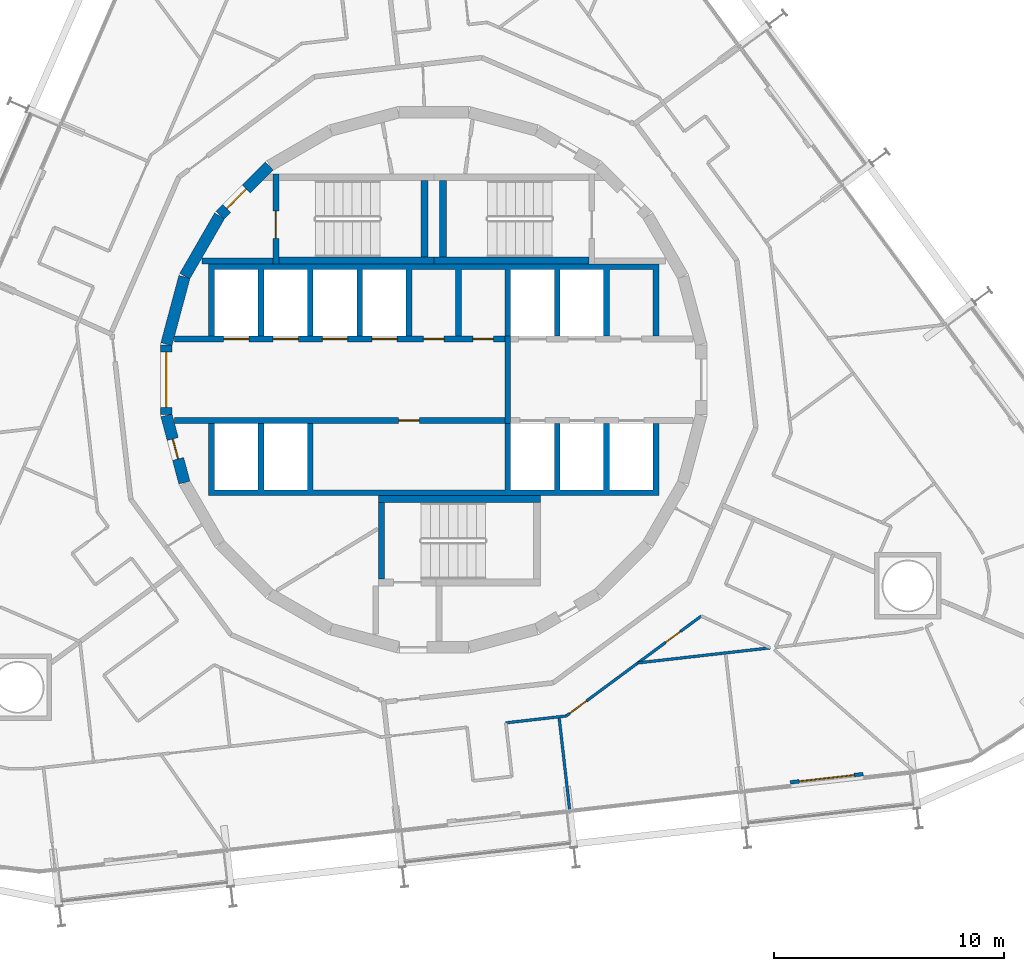
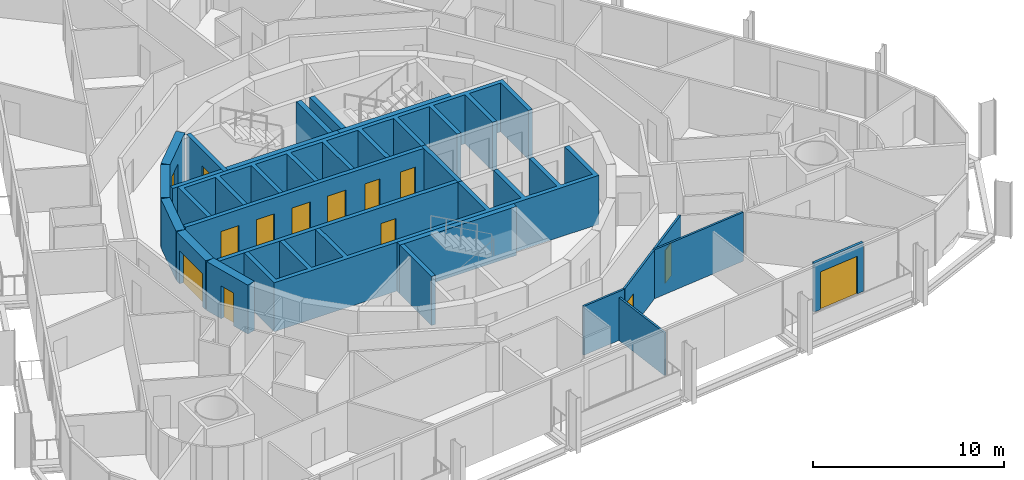
# One storey, part 18 of 24: 23 walls, 14 doors, 14 openings.
"""IFC4 building model written with IfcOpenShell, lengths in metres."""

from ifc_helpers import new_model, si_unit, direction, frame, frame_2d, origin, place, context, subcontext, project, spatial, polyline, rectangle, outline, extrude, material, layer, layer_set, type_object, element, fill, save


model = new_model("IFC4")

# Units and contexts
model_context = context("Model", 3, precision=1e-05, world=origin(), true_north=direction((0.0, 1.0)))
body_context = subcontext(model_context, "Body", "Model", "MODEL_VIEW")
ifc_project = project(units=[si_unit("LENGTHUNIT", "METRE"), si_unit("AREAUNIT", "SQUARE_METRE"), si_unit("VOLUMEUNIT", "CUBIC_METRE"), si_unit("PLANEANGLEUNIT", "RADIAN"), si_unit("MASSUNIT", "GRAM", prefix="KILO")], contexts=[model_context])

# Site, building, storey
site_placement = place(None, origin())
site = spatial("IfcSite", under=ifc_project, at=site_placement, CompositionType="ELEMENT")
building_placement = place(site_placement, origin())
building = spatial("IfcBuilding", under=site, at=building_placement, Name="Spindle Arch Residences", CompositionType="ELEMENT")
storey_placement = place(building_placement, frame((0.0, 0.0, 101.199951171875)))
storey = spatial("IfcBuildingStorey", under=building, at=storey_placement, Name="L24", CompositionType="ELEMENT", Elevation=101.199951171875)

# Wall, opening, door
ifc_material_1 = material(Name="Concrete C50/60", Category="concrete")
ifc_layer_1 = layer(ifc_material_1, 0.5)
ifc_layer_set_1 = layer_set([ifc_layer_1], Name="Core outline wall 500")
wall_type_1 = type_object("IfcWallType", Name="Core outline wall 500", PredefinedType="SHEAR", material=ifc_layer_set_1)
wall_1_placement = place(storey_placement, frame((-7.163818359375, 9.30810546875, 0.0), z_axis=(0.0, 0.0, 1.0), x_axis=(-0.707106781187, -0.707106781187, 0.0)))
wall_1 = element("IfcWall", 1, at=wall_1_placement, inside=storey, type_object=wall_type_1, Name="Core outline wall 15", PredefinedType="SHEAR", context=body_context, shape_type="SweptSolid", body=[
    extrude(rectangle(XDim=3.032470703125, YDim=0.5, at=frame_2d((1.51611328125, 0.0))), origin(), (0.0, 0.0, 1.0), 3.1201171875),
])
opening_1_placement = place(wall_1_placement, frame((1.416259765625, 0.0, 0.0)))
opening_1 = element("IfcOpeningElement", 2, at=opening_1_placement, cuts=wall_1, Name="Opening R2C1-AD02", PredefinedType="OPENING", context=body_context, shape_type="SweptSolid", body=[
    extrude(rectangle(XDim=1.199951171875, YDim=2.10009765625, at=frame_2d((0.60009765625, 1.050048828125))), frame((0.0, 0.260009765625, 0.0), z_axis=(0.0, -1.0, 0.0), x_axis=(1.0, 0.0, 0.0)), (0.0, 0.0, 1.0), 0.52001953125),
])
ifc_material_2 = material(Name="Steel, fire-resisting door", Category="steel")
door_type_1 = type_object("IfcDoorType", Name="Stair airlock door 1200x2100", OperationType="SINGLE_SWING_LEFT", PredefinedType="DOOR", material=ifc_material_2)
door_1_placement = place(opening_1_placement, origin())
door_1 = element("IfcDoor", 3, at=door_1_placement, inside=storey, type_object=door_type_1, Name="Stair airlock door R2C1-AD02", OperationType="SINGLE_SWING_RIGHT", OverallHeight=2.10009765625, OverallWidth=1.199951171875, PredefinedType="DOOR", context=body_context, shape_type="SweptSolid", body=[
    extrude(rectangle(XDim=1.199951171875, YDim=2.10009765625, at=frame_2d((0.60009765625, 1.050048828125))), frame((0.0, 0.02490234375, 0.0), z_axis=(0.0, -1.0, 0.0), x_axis=(1.0, 0.0, 0.0)), (0.0, 0.0, 1.0), 0.050048828125),
])
fill(opening_1, door_1)

# Walls
for number, where, z_axis, x_axis, name in (
    (4, (-9.32861328125, 7.13671875, 0.0), (0.0, 0.0, 1.0), (-0.500087131594, -0.865975092491, 0.0), "Core outline wall 16"),
    (5, (-10.858154296875, 4.479248046875, 0.0), (0.0, 0.0, 1.0), (-0.258734743916, -0.965948410781, 0.0), "Core outline wall 17"),
):
    element("IfcWall", number, at=place(storey_placement, frame(where, z_axis=z_axis, x_axis=x_axis)), inside=storey, type_object=wall_type_1, Name=name, PredefinedType="SHEAR", context=body_context, shape_type="SweptSolid", body=[
        extrude(rectangle(XDim=3.03271484375, YDim=0.5, at=frame_2d((1.516357421875, 0.0))), origin(), (0.0, 0.0, 1.0), 3.1201171875),
    ])

# Wall, opening, door
wall_2_placement = place(storey_placement, frame((-11.647216796875, 1.516357421875, 0.0), z_axis=(0.0, 0.0, 1.0), x_axis=(0.0, -1.0, 0.0)))
wall_2 = element("IfcWall", 6, at=wall_2_placement, inside=storey, type_object=wall_type_1, Name="Core outline wall 18", PredefinedType="SHEAR", context=body_context, shape_type="SweptSolid", body=[
    extrude(rectangle(XDim=3.03271484375, YDim=0.5, at=frame_2d((1.516357421875, 0.0))), origin(), (0.0, 0.0, 1.0), 3.1201171875),
])
opening_2_placement = place(wall_2_placement, frame((0.31640625, 0.0, 0.0)))
opening_2 = element("IfcOpeningElement", 7, at=opening_2_placement, cuts=wall_2, Name="Opening R2C1-LE01", PredefinedType="OPENING", context=body_context, shape_type="SweptSolid", body=[
    extrude(rectangle(XDim=2.39990234375, YDim=2.10009765625, at=frame_2d((1.199951171875, 1.050048828125))), frame((0.0, 0.260009765625, 0.0), z_axis=(0.0, -1.0, 0.0), x_axis=(1.0, 0.0, 0.0)), (0.0, 0.0, 1.0), 0.52001953125),
])
ifc_material_3 = material(Name="Steel, fire-resisting door", Category="steel")
door_type_2 = type_object("IfcDoorType", Name="Lift lobby entrance door 2400x2100", OperationType="DOUBLE_DOOR_SINGLE_SWING", PredefinedType="DOOR", material=ifc_material_3)
door_2_placement = place(opening_2_placement, origin())
door_2 = element("IfcDoor", 8, at=door_2_placement, inside=storey, type_object=door_type_2, Name="Lift lobby entrance door R2C1-LE01", OperationType="DOUBLE_DOOR_SINGLE_SWING", OverallHeight=2.10009765625, OverallWidth=2.39990234375, PredefinedType="DOOR", context=body_context, shape_type="SweptSolid", body=[
    extrude(rectangle(XDim=2.39990234375, YDim=2.10009765625, at=frame_2d((1.199951171875, 1.050048828125))), frame((0.0, 0.02490234375, 0.0), z_axis=(0.0, -1.0, 0.0), x_axis=(1.0, 0.0, 0.0)), (0.0, 0.0, 1.0), 0.050048828125),
])
fill(opening_2, door_2)

wall_3_placement = place(storey_placement, frame((-11.642822265625, -1.5498046875, 0.0), z_axis=(0.0, 0.0, 1.0), x_axis=(0.258734743916, -0.965948410781, 0.0)))
wall_3 = element("IfcWall", 9, at=wall_3_placement, inside=storey, type_object=wall_type_1, Name="Core outline wall 19", PredefinedType="SHEAR", context=body_context, shape_type="SweptSolid", body=[
    extrude(rectangle(XDim=3.03271484375, YDim=0.5, at=frame_2d((1.516357421875, 0.0))), origin(), (0.0, 0.0, 1.0), 3.1201171875),
])
opening_3_placement = place(wall_3_placement, frame((1.06640625, 0.0, 0.0)))
opening_3 = element("IfcOpeningElement", 10, at=opening_3_placement, cuts=wall_3, Name="Opening R2C1-WD09", PredefinedType="OPENING", context=body_context, shape_type="SweptSolid", body=[
    extrude(rectangle(XDim=0.89990234375, YDim=2.10009765625, at=frame_2d((0.449951171875, 1.050048828125))), frame((0.0, 0.260009765625, 0.0), z_axis=(0.0, -1.0, 0.0), x_axis=(1.0, 0.0, 0.0)), (0.0, 0.0, 1.0), 0.52001953125),
])
ifc_material_4 = material(Name="Steel, fire-resisting door", Category="steel")
door_type_3 = type_object("IfcDoorType", Name="Service room door 900x2100", OperationType="SINGLE_SWING_LEFT", PredefinedType="DOOR", material=ifc_material_4)
door_3_placement = place(opening_3_placement, origin())
door_3 = element("IfcDoor", 11, at=door_3_placement, inside=storey, type_object=door_type_3, Name="Service room door R2C1-WD09", OperationType="SINGLE_SWING_RIGHT", OverallHeight=2.10009765625, OverallWidth=0.89990234375, PredefinedType="DOOR", context=body_context, shape_type="SweptSolid", body=[
    extrude(rectangle(XDim=0.89990234375, YDim=2.10009765625, at=frame_2d((0.449951171875, 1.050048828125))), frame((0.0, 0.02490234375, 0.0), z_axis=(0.0, -1.0, 0.0), x_axis=(1.0, 0.0, 0.0)), (0.0, 0.0, 1.0), 0.050048828125),
])
fill(opening_3, door_3)

# Walls
ifc_material_5 = material(Name="Concrete C40/50", Category="concrete")
ifc_layer_2 = layer(ifc_material_5, 0.25)
ifc_layer_set_2 = layer_set([ifc_layer_2], Name="Fire-lift lobby wall 250")
wall_type_2 = type_object("IfcWallType", Name="Fire-lift lobby wall 250", PredefinedType="SHEAR", material=ifc_layer_set_2)
wall_4_placement = place(storey_placement, frame((3.22509765625, -1.89990234375, 0.0), z_axis=(0.0, 0.0, 1.0), x_axis=(0.0, 1.0, 0.0)))
element("IfcWall", 12, at=wall_4_placement, inside=storey, type_object=wall_type_2, Name="Fire-fighting lobby partition", PredefinedType="SHEAR", context=body_context, shape_type="SweptSolid", body=[
    extrude(rectangle(XDim=3.7998046875, YDim=0.25, at=frame_2d((1.89990234375, 0.0))), origin(), (0.0, 0.0, 1.0), 3.1201171875),
])
ifc_material_6 = material(Name="Plasterboard on steel studs", Category="steel")
ifc_layer_3 = layer(ifc_material_6, 0.1201171875)
ifc_layer_set_3 = layer_set([ifc_layer_3], Name="Flat partition 120")
wall_type_3 = type_object("IfcWallType", Name="Flat partition 120", PredefinedType="PARTITIONING", material=ifc_layer_set_3)
wall_5_placement = place(storey_placement, frame((3.1376953125, -14.94091796875, 0.0), z_axis=(0.0, 0.0, 1.0), x_axis=(0.99356355736, 0.113276023437, 0.0)))
element("IfcWall", 13, at=wall_5_placement, inside=storey, type_object=wall_type_3, Name="Flat partition R2C1-W116", PredefinedType="PARTITIONING", context=body_context, shape_type="SweptSolid", body=[
    extrude(rectangle(XDim=2.646728515625, YDim=0.1201171875, at=frame_2d((1.3232421875, 0.0))), origin(), (0.0, 0.0, 1.0), 3.1201171875),
])

# Wall, openings, doors
wall_6_placement = place(storey_placement, frame((5.767333984375, -14.64111328125, 0.0), z_axis=(0.0, 0.0, 1.0), x_axis=(0.803867427863, 0.594808505673, 0.0)))
wall_6 = element("IfcWall", 14, at=wall_6_placement, inside=storey, type_object=wall_type_3, Name="Flat partition R2C1-W117", PredefinedType="PARTITIONING", context=body_context, shape_type="SweptSolid", body=[
    extrude(rectangle(XDim=7.31640625, YDim=0.1201171875, at=frame_2d((3.658203125, 0.0))), origin(), (0.0, 0.0, 1.0), 3.1201171875),
])
opening_4_placement = place(wall_6_placement, frame((0.199951171875, 0.0, 0.0)))
opening_4 = element("IfcOpeningElement", 15, at=opening_4_placement, cuts=wall_6, Name="Opening R2C1-ID33", PredefinedType="OPENING", context=body_context, shape_type="SweptSolid", body=[
    extrude(rectangle(XDim=0.89990234375, YDim=2.10009765625, at=frame_2d((0.449951171875, 1.050048828125))), frame((0.0, 0.070068359375, 0.0), z_axis=(0.0, -1.0, 0.0), x_axis=(1.0, 0.0, 0.0)), (0.0, 0.0, 1.0), 0.14013671875),
])
opening_5_placement = place(wall_6_placement, frame((5.385009765625, 0.0, 0.0)))
opening_5 = element("IfcOpeningElement", 16, at=opening_5_placement, cuts=wall_6, Name="Opening R2C1-BD06", PredefinedType="OPENING", context=body_context, shape_type="SweptSolid", body=[
    extrude(rectangle(XDim=0.800048828125, YDim=2.10009765625, at=frame_2d((0.39990234375, 1.050048828125))), frame((0.0, 0.070068359375, 0.0), z_axis=(0.0, -1.0, 0.0), x_axis=(1.0, 0.0, 0.0)), (0.0, 0.0, 1.0), 0.14013671875),
])
ifc_material_7 = material(Name="Timber door set", Category="wood")
door_type_4 = type_object("IfcDoorType", Name="Bathroom door 800x2100", OperationType="NOTDEFINED", PredefinedType="DOOR", material=ifc_material_7)
door_4_placement = place(opening_5_placement, origin())
door_4 = element("IfcDoor", 17, at=door_4_placement, inside=storey, type_object=door_type_4, Name="Bathroom door R2C1-BD06", OperationType="SINGLE_SWING_RIGHT", OverallHeight=2.10009765625, OverallWidth=0.800048828125, PredefinedType="DOOR", context=body_context, shape_type="SweptSolid", body=[
    extrude(rectangle(XDim=0.800048828125, YDim=2.10009765625, at=frame_2d((0.39990234375, 1.050048828125))), frame((0.0, 0.02490234375, 0.0), z_axis=(0.0, -1.0, 0.0), x_axis=(1.0, 0.0, 0.0)), (0.0, 0.0, 1.0), 0.050048828125),
])
fill(opening_5, door_4)
ifc_material_8 = material(Name="Timber door set", Category="wood")
door_type_5 = type_object("IfcDoorType", Name="Room door 900x2100", OperationType="NOTDEFINED", PredefinedType="DOOR", material=ifc_material_8)
door_5_placement = place(opening_4_placement, origin())
door_5 = element("IfcDoor", 18, at=door_5_placement, inside=storey, type_object=door_type_5, Name="Room door R2C1-ID33", OperationType="SINGLE_SWING_RIGHT", OverallHeight=2.10009765625, OverallWidth=0.89990234375, PredefinedType="DOOR", context=body_context, shape_type="SweptSolid", body=[
    extrude(rectangle(XDim=0.89990234375, YDim=2.10009765625, at=frame_2d((0.449951171875, 1.050048828125))), frame((0.0, 0.02490234375, 0.0), z_axis=(0.0, -1.0, 0.0), x_axis=(1.0, 0.0, 0.0)), (0.0, 0.0, 1.0), 0.050048828125),
])
fill(opening_4, door_5)

# Walls
wall_7_placement = place(storey_placement, frame((14.64892578125, -11.67431640625, 0.0), z_axis=(0.0, 0.0, 1.0), x_axis=(-0.993573746873, -0.113186613721, 0.0)))
element("IfcWall", 19, at=wall_7_placement, inside=storey, type_object=wall_type_3, Name="Flat partition R2C1-W123", PredefinedType="PARTITIONING", context=body_context, shape_type="SweptSolid", body=[
    extrude(rectangle(XDim=5.7958984375, YDim=0.1201171875, at=frame_2d((2.89794921875, 0.0))), origin(), (0.0, 0.0, 1.0), 3.1201171875),
])
ifc_material_9 = material(Name="Plasterboard on steel studs", Category="steel")
ifc_layer_4 = layer(ifc_material_9, 0.1201171875)
ifc_layer_set_4 = layer_set([ifc_layer_4], Name="Flat partition 120 under beam 2730")
wall_type_4 = type_object("IfcWallType", Name="Flat partition 120 under beam 2730", PredefinedType="PARTITIONING", material=ifc_layer_set_4)
wall_8_placement = place(storey_placement, frame((5.915283203125, -18.7080078125, 0.0), z_axis=(0.0, 0.0, 1.0), x_axis=(-0.113244511591, 0.993567149515, 0.0)))
element("IfcWall", 20, at=wall_8_placement, inside=storey, type_object=wall_type_4, Name="Flat partition R2C1-W122", PredefinedType="PARTITIONING", context=body_context, shape_type="SweptSolid", body=[
    extrude(rectangle(XDim=4.057373046875, YDim=0.1201171875, at=frame_2d((2.02880859375, 0.0))), origin(), (0.0, 0.0, 1.0), 2.72998046875),
])

# Wall, opening, door
ifc_material_10 = material(Name="Non-combustible mineral wool insulated aluminium faced external wall (K0)", Category="aluminium")
ifc_layer_5 = layer(ifc_material_10, 0.159912109375)
ifc_layer_set_5 = layer_set([ifc_layer_5], Name="Insulated external wall panel 160")
wall_type_5 = type_object("IfcWallType", Name="Insulated external wall panel 160", PredefinedType="STANDARD", material=ifc_layer_set_5)
wall_9_placement = place(storey_placement, frame((15.522216796875, -17.532958984375, 0.0), z_axis=(0.0, 0.0, 1.0), x_axis=(0.993578576686, 0.113144208648, 0.0)))
wall_9 = element("IfcWall", 21, at=wall_9_placement, inside=storey, type_object=wall_type_5, Name="External wall L24 bay 2", PredefinedType="STANDARD", context=body_context, shape_type="SweptSolid", body=[
    extrude(rectangle(XDim=3.199951171875, YDim=0.159912109375, at=frame_2d((1.60009765625, 0.0))), origin(), (0.0, 0.0, 1.0), 3.1201171875),
])
opening_6_placement = place(wall_9_placement, frame((0.39990234375, 0.0, 0.0)))
opening_6 = element("IfcOpeningElement", 22, at=opening_6_placement, cuts=wall_9, Name="Opening BD02", PredefinedType="OPENING", context=body_context, shape_type="SweptSolid", body=[
    extrude(rectangle(XDim=2.39990234375, YDim=2.39990234375, at=frame_2d((1.199951171875, 1.199951171875))), frame((0.0, 0.08984375, 0.0), z_axis=(0.0, -1.0, 0.0), x_axis=(1.0, 0.0, 0.0)), (0.0, 0.0, 1.0), 0.179931640625),
])
ifc_material_11 = material(Name="Bronze aluminium frame, tinted double glazing", Category="aluminium")
door_type_6 = type_object("IfcDoorType", Name="Sliding glazed balcony door 2400x2400", OperationType="DOUBLE_DOOR_SLIDING", PredefinedType="DOOR", material=ifc_material_11)
door_6_placement = place(opening_6_placement, origin())
door_6 = element("IfcDoor", 23, at=door_6_placement, inside=storey, type_object=door_type_6, Name="Balcony door BD02", OperationType="DOUBLE_DOOR_SLIDING", OverallHeight=2.39990234375, OverallWidth=2.39990234375, PredefinedType="DOOR", context=body_context, shape_type="SweptSolid", body=[
    extrude(rectangle(XDim=2.39990234375, YDim=2.39990234375, at=frame_2d((1.199951171875, 1.199951171875))), frame((0.0, 0.02490234375, 0.0), z_axis=(0.0, -1.0, 0.0), x_axis=(1.0, 0.0, 0.0)), (0.0, 0.0, 1.0), 0.050048828125),
])
fill(opening_6, door_6)

# Wall, openings, doors
ifc_material_12 = material(Name="Concrete C50/60", Category="concrete")
ifc_layer_6 = layer(ifc_material_12, 0.25)
ifc_layer_set_6 = layer_set([ifc_layer_6], Name="Lift shaft wall 250")
wall_type_6 = type_object("IfcWallType", Name="Lift shaft wall 250", PredefinedType="SHEAR", material=ifc_layer_set_6)
wall_10_placement = place(storey_placement, frame((-11.280029296875, 1.77490234375, 0.0), z_axis=(0.0, 0.0, 1.0), x_axis=(1.0, 0.0, 0.0)))
wall_10 = element("IfcWall", 24, at=wall_10_placement, inside=storey, type_object=wall_type_6, Name="Lift shaft front wall NW", PredefinedType="SHEAR", context=body_context, shape_type="SweptSolid", body=[
    extrude(rectangle(XDim=14.380126953125, YDim=0.25, at=frame_2d((7.18994140625, 0.0))), origin(), (0.0, 0.0, 1.0), 3.1201171875),
])
opening_7_placement = place(wall_10_placement, frame((2.1298828125, 0.0, 0.0)))
opening_7 = element("IfcOpeningElement", 25, at=opening_7_placement, cuts=wall_10, Name="Opening R2C1-LD01", PredefinedType="OPENING", context=body_context, shape_type="SweptSolid", body=[
    extrude(rectangle(XDim=1.10009765625, YDim=2.10009765625, at=frame_2d((0.550048828125, 1.050048828125))), frame((0.0, 0.135009765625, 0.0), z_axis=(0.0, -1.0, 0.0), x_axis=(1.0, 0.0, 0.0)), (0.0, 0.0, 1.0), 0.27001953125),
])
opening_8_placement = place(wall_10_placement, frame((4.280029296875, 0.0, 0.0)))
opening_8 = element("IfcOpeningElement", 26, at=opening_8_placement, cuts=wall_10, Name="Opening R2C1-LD02", PredefinedType="OPENING", context=body_context, shape_type="SweptSolid", body=[
    extrude(rectangle(XDim=1.10009765625, YDim=2.10009765625, at=frame_2d((0.550048828125, 1.050048828125))), frame((0.0, 0.135009765625, 0.0), z_axis=(0.0, -1.0, 0.0), x_axis=(1.0, 0.0, 0.0)), (0.0, 0.0, 1.0), 0.27001953125),
])
opening_9_placement = place(wall_10_placement, frame((6.429931640625, 0.0, 0.0)))
opening_9 = element("IfcOpeningElement", 27, at=opening_9_placement, cuts=wall_10, Name="Opening R2C1-LD03", PredefinedType="OPENING", context=body_context, shape_type="SweptSolid", body=[
    extrude(rectangle(XDim=1.10009765625, YDim=2.10009765625, at=frame_2d((0.550048828125, 1.050048828125))), frame((0.0, 0.135009765625, 0.0), z_axis=(0.0, -1.0, 0.0), x_axis=(1.0, 0.0, 0.0)), (0.0, 0.0, 1.0), 0.27001953125),
])
opening_10_placement = place(wall_10_placement, frame((8.580078125, 0.0, 0.0)))
opening_10 = element("IfcOpeningElement", 28, at=opening_10_placement, cuts=wall_10, Name="Opening R2C1-LD04", PredefinedType="OPENING", context=body_context, shape_type="SweptSolid", body=[
    extrude(rectangle(XDim=1.10009765625, YDim=2.10009765625, at=frame_2d((0.550048828125, 1.050048828125))), frame((0.0, 0.135009765625, 0.0), z_axis=(0.0, -1.0, 0.0), x_axis=(1.0, 0.0, 0.0)), (0.0, 0.0, 1.0), 0.27001953125),
])
opening_11_placement = place(wall_10_placement, frame((10.830078125, 0.0, 0.0)))
opening_11 = element("IfcOpeningElement", 29, at=opening_11_placement, cuts=wall_10, Name="Opening R2C1-WD01", PredefinedType="OPENING", context=body_context, shape_type="SweptSolid", body=[
    extrude(rectangle(XDim=0.89990234375, YDim=2.10009765625, at=frame_2d((0.449951171875, 1.050048828125))), frame((0.0, 0.135009765625, 0.0), z_axis=(0.0, -1.0, 0.0), x_axis=(1.0, 0.0, 0.0)), (0.0, 0.0, 1.0), 0.27001953125),
])
opening_12_placement = place(wall_10_placement, frame((12.97998046875, 0.0, 0.0)))
opening_12 = element("IfcOpeningElement", 30, at=opening_12_placement, cuts=wall_10, Name="Opening R2C1-WD02", PredefinedType="OPENING", context=body_context, shape_type="SweptSolid", body=[
    extrude(rectangle(XDim=0.89990234375, YDim=2.10009765625, at=frame_2d((0.449951171875, 1.050048828125))), frame((0.0, 0.135009765625, 0.0), z_axis=(0.0, -1.0, 0.0), x_axis=(1.0, 0.0, 0.0)), (0.0, 0.0, 1.0), 0.27001953125),
])
ifc_material_13 = material(Name="Steel, fire-resisting landing door", Category="steel")
door_type_7 = type_object("IfcDoorType", Name="Lift landing door 1100x2100", OperationType="DOUBLE_DOOR_SLIDING", PredefinedType="DOOR", material=ifc_material_13)
door_7_placement = place(opening_7_placement, origin())
door_7 = element("IfcDoor", 31, at=door_7_placement, inside=storey, type_object=door_type_7, Name="Lift landing door R2C1-LD01", OperationType="DOUBLE_DOOR_SLIDING", OverallHeight=2.10009765625, OverallWidth=1.10009765625, PredefinedType="DOOR", context=body_context, shape_type="SweptSolid", body=[
    extrude(rectangle(XDim=1.10009765625, YDim=2.10009765625, at=frame_2d((0.550048828125, 1.050048828125))), frame((0.0, 0.02490234375, 0.0), z_axis=(0.0, -1.0, 0.0), x_axis=(1.0, 0.0, 0.0)), (0.0, 0.0, 1.0), 0.050048828125),
])
fill(opening_7, door_7)
door_8_placement = place(opening_8_placement, origin())
door_8 = element("IfcDoor", 32, at=door_8_placement, inside=storey, type_object=door_type_7, Name="Lift landing door R2C1-LD02", OperationType="DOUBLE_DOOR_SLIDING", OverallHeight=2.10009765625, OverallWidth=1.10009765625, PredefinedType="DOOR", context=body_context, shape_type="SweptSolid", body=[
    extrude(rectangle(XDim=1.10009765625, YDim=2.10009765625, at=frame_2d((0.550048828125, 1.050048828125))), frame((0.0, 0.02490234375, 0.0), z_axis=(0.0, -1.0, 0.0), x_axis=(1.0, 0.0, 0.0)), (0.0, 0.0, 1.0), 0.050048828125),
])
fill(opening_8, door_8)
door_9_placement = place(opening_9_placement, origin())
door_9 = element("IfcDoor", 33, at=door_9_placement, inside=storey, type_object=door_type_7, Name="Lift landing door R2C1-LD03", OperationType="DOUBLE_DOOR_SLIDING", OverallHeight=2.10009765625, OverallWidth=1.10009765625, PredefinedType="DOOR", context=body_context, shape_type="SweptSolid", body=[
    extrude(rectangle(XDim=1.10009765625, YDim=2.10009765625, at=frame_2d((0.550048828125, 1.050048828125))), frame((0.0, 0.02490234375, 0.0), z_axis=(0.0, -1.0, 0.0), x_axis=(1.0, 0.0, 0.0)), (0.0, 0.0, 1.0), 0.050048828125),
])
fill(opening_9, door_9)
door_10_placement = place(opening_10_placement, origin())
door_10 = element("IfcDoor", 34, at=door_10_placement, inside=storey, type_object=door_type_7, Name="Lift landing door R2C1-LD04", OperationType="DOUBLE_DOOR_SLIDING", OverallHeight=2.10009765625, OverallWidth=1.10009765625, PredefinedType="DOOR", context=body_context, shape_type="SweptSolid", body=[
    extrude(rectangle(XDim=1.10009765625, YDim=2.10009765625, at=frame_2d((0.550048828125, 1.050048828125))), frame((0.0, 0.02490234375, 0.0), z_axis=(0.0, -1.0, 0.0), x_axis=(1.0, 0.0, 0.0)), (0.0, 0.0, 1.0), 0.050048828125),
])
fill(opening_10, door_10)
door_11_placement = place(opening_11_placement, origin())
door_11 = element("IfcDoor", 35, at=door_11_placement, inside=storey, type_object=door_type_3, Name="Service room door R2C1-WD01", OperationType="SINGLE_SWING_RIGHT", OverallHeight=2.10009765625, OverallWidth=0.89990234375, PredefinedType="DOOR", context=body_context, shape_type="SweptSolid", body=[
    extrude(rectangle(XDim=0.89990234375, YDim=2.10009765625, at=frame_2d((0.449951171875, 1.050048828125))), frame((0.0, 0.02490234375, 0.0), z_axis=(0.0, -1.0, 0.0), x_axis=(1.0, 0.0, 0.0)), (0.0, 0.0, 1.0), 0.050048828125),
])
fill(opening_11, door_11)
door_12_placement = place(opening_12_placement, origin())
door_12 = element("IfcDoor", 36, at=door_12_placement, inside=storey, type_object=door_type_3, Name="Service room door R2C1-WD02", OperationType="SINGLE_SWING_LEFT", OverallHeight=2.10009765625, OverallWidth=0.89990234375, PredefinedType="DOOR", context=body_context, shape_type="SweptSolid", body=[
    extrude(rectangle(XDim=0.89990234375, YDim=2.10009765625, at=frame_2d((0.449951171875, 1.050048828125))), frame((0.0, 0.02490234375, 0.0), z_axis=(0.0, -1.0, 0.0), x_axis=(1.0, 0.0, 0.0)), (0.0, 0.0, 1.0), 0.050048828125),
])
fill(opening_12, door_12)

# Wall, opening, door
wall_11_placement = place(storey_placement, frame((-11.280029296875, -1.77490234375, 0.0), z_axis=(0.0, 0.0, 1.0), x_axis=(1.0, 0.0, 0.0)))
wall_11 = element("IfcWall", 37, at=wall_11_placement, inside=storey, type_object=wall_type_6, Name="Lift shaft front wall SW", PredefinedType="SHEAR", context=body_context, shape_type="SweptSolid", body=[
    extrude(rectangle(XDim=14.380126953125, YDim=0.25, at=frame_2d((7.18994140625, 0.0))), origin(), (0.0, 0.0, 1.0), 3.1201171875),
])
opening_13_placement = place(wall_11_placement, frame((9.7548828125, 0.0, 0.0)))
opening_13 = element("IfcOpeningElement", 38, at=opening_13_placement, cuts=wall_11, Name="Opening R2C1-WD04", PredefinedType="OPENING", context=body_context, shape_type="SweptSolid", body=[
    extrude(rectangle(XDim=0.89990234375, YDim=2.10009765625, at=frame_2d((0.449951171875, 1.050048828125))), frame((0.0, 0.135009765625, 0.0), z_axis=(0.0, -1.0, 0.0), x_axis=(1.0, 0.0, 0.0)), (0.0, 0.0, 1.0), 0.27001953125),
])
door_13_placement = place(opening_13_placement, origin())
door_13 = element("IfcDoor", 39, at=door_13_placement, inside=storey, type_object=door_type_3, Name="Service room door R2C1-WD04", OperationType="SINGLE_SWING_LEFT", OverallHeight=2.10009765625, OverallWidth=0.89990234375, PredefinedType="DOOR", context=body_context, shape_type="SweptSolid", body=[
    extrude(rectangle(XDim=0.89990234375, YDim=2.10009765625, at=frame_2d((0.449951171875, 1.050048828125))), frame((0.0, 0.02490234375, 0.0), z_axis=(0.0, -1.0, 0.0), x_axis=(1.0, 0.0, 0.0)), (0.0, 0.0, 1.0), 0.050048828125),
])
fill(opening_13, door_13)

# Walls
ifc_material_14 = material(Name="Concrete C50/60", Category="concrete")
wall_type_7 = type_object("IfcWallType", Name="Lift shaft wall profile", PredefinedType="SHEAR", material=ifc_material_14)
wall_12_placement = place(storey_placement, origin())
element("IfcWall", 40, at=wall_12_placement, inside=storey, type_object=wall_type_7, Name="Lift shaft walls N", PredefinedType="SHEAR", context=body_context, shape_type="SweptSolid", body=[
    extrude(outline(polyline([(-9.550048828125, 4.800048828125), (-7.64990234375, 4.800048828125), (-7.64990234375, 1.89990234375), (-7.39990234375, 1.89990234375), (-7.39990234375, 4.800048828125), (-5.5, 4.800048828125), (-5.5, 1.89990234375), (-5.25, 1.89990234375), (-5.25, 4.800048828125), (-3.35009765625, 4.800048828125), (-3.35009765625, 1.89990234375), (-3.10009765625, 1.89990234375), (-3.10009765625, 4.800048828125), (-1.199951171875, 4.800048828125), (-1.199951171875, 1.89990234375), (-0.949951171875, 1.89990234375), (-0.949951171875, 4.800048828125), (0.949951171875, 4.800048828125), (0.949951171875, 1.89990234375), (1.199951171875, 1.89990234375), (1.199951171875, 4.800048828125), (3.10009765625, 4.800048828125), (3.10009765625, 1.89990234375), (3.35009765625, 1.89990234375), (3.35009765625, 4.800048828125), (5.25, 4.800048828125), (5.25, 1.89990234375), (5.5, 1.89990234375), (5.5, 4.800048828125), (7.39990234375, 4.800048828125), (7.39990234375, 1.89990234375), (7.64990234375, 1.89990234375), (7.64990234375, 4.800048828125), (9.550048828125, 4.800048828125), (9.550048828125, 1.89990234375), (9.800048828125, 1.89990234375), (9.800048828125, 4.800048828125), (9.800048828125, 5.050048828125), (-9.800048828125, 5.050048828125), (-9.800048828125, 4.800048828125), (-9.800048828125, 1.89990234375), (-9.550048828125, 1.89990234375), (-9.550048828125, 4.800048828125)])), origin(), (0.0, 0.0, 1.0), 3.1201171875),
])
wall_13_placement = place(storey_placement, origin())
element("IfcWall", 41, at=wall_13_placement, inside=storey, type_object=wall_type_7, Name="Lift shaft walls S", PredefinedType="SHEAR", context=body_context, shape_type="SweptSolid", body=[
    extrude(outline(polyline([(9.800048828125, -5.050048828125), (9.800048828125, -4.800048828125), (9.800048828125, -1.89990234375), (9.550048828125, -1.89990234375), (9.550048828125, -4.800048828125), (7.64990234375, -4.800048828125), (7.64990234375, -1.89990234375), (7.39990234375, -1.89990234375), (7.39990234375, -4.800048828125), (5.5, -4.800048828125), (5.5, -1.89990234375), (5.25, -1.89990234375), (5.25, -4.800048828125), (3.35009765625, -4.800048828125), (3.35009765625, -1.89990234375), (3.10009765625, -1.89990234375), (3.10009765625, -4.800048828125), (-5.25, -4.800048828125), (-5.25, -1.89990234375), (-5.5, -1.89990234375), (-5.5, -4.800048828125), (-7.39990234375, -4.800048828125), (-7.39990234375, -1.89990234375), (-7.64990234375, -1.89990234375), (-7.64990234375, -4.800048828125), (-9.550048828125, -4.800048828125), (-9.550048828125, -1.89990234375), (-9.800048828125, -1.89990234375), (-9.800048828125, -4.800048828125), (-9.800048828125, -5.050048828125), (9.800048828125, -5.050048828125)])), origin(), (0.0, 0.0, 1.0), 3.1201171875),
])
ifc_material_15 = material(Name="Concrete C40/50", Category="concrete")
ifc_layer_7 = layer(ifc_material_15, 0.25)
ifc_layer_set_7 = layer_set([ifc_layer_7], Name="Stair airlock wall 250")
wall_type_8 = type_object("IfcWallType", Name="Stair airlock wall 250", PredefinedType="SHEAR", material=ifc_layer_set_7)
wall_14_placement = place(storey_placement, frame((-7.0, 5.175048828125, 0.0), z_axis=(0.0, 0.0, 1.0), x_axis=(-1.0, 0.0, 0.0)))
element("IfcWall", 42, at=wall_14_placement, inside=storey, type_object=wall_type_8, Name="Stair ST-2 airlock wall S", PredefinedType="SHEAR", context=body_context, shape_type="SweptSolid", body=[
    extrude(rectangle(XDim=3.10009765625, YDim=0.25, at=frame_2d((1.550048828125, 0.0))), origin(), (0.0, 0.0, 1.0), 3.1201171875),
])

# Wall, opening, door
ifc_material_16 = material(Name="Concrete C50/60", Category="concrete")
ifc_layer_8 = layer(ifc_material_16, 0.25)
ifc_layer_set_8 = layer_set([ifc_layer_8], Name="Stair enclosure wall 250")
wall_type_9 = type_object("IfcWallType", Name="Stair enclosure wall 250", PredefinedType="SHEAR", material=ifc_layer_set_8)
wall_15_placement = place(storey_placement, frame((-6.875, 8.969970703125, 0.0), z_axis=(0.0, 0.0, 1.0), x_axis=(0.0, -1.0, 0.0)))
wall_15 = element("IfcWall", 43, at=wall_15_placement, inside=storey, type_object=wall_type_9, Name="Stair ST-2 door wall", PredefinedType="SHEAR", context=body_context, shape_type="SweptSolid", body=[
    extrude(rectangle(XDim=3.919921875, YDim=0.25, at=frame_2d((1.9599609375, 0.0))), origin(), (0.0, 0.0, 1.0), 3.1201171875),
])
opening_14_placement = place(wall_15_placement, frame((1.610107421875, 0.0, 0.0)))
opening_14 = element("IfcOpeningElement", 44, at=opening_14_placement, cuts=wall_15, Name="Opening R2C1-SD02", PredefinedType="OPENING", context=body_context, shape_type="SweptSolid", body=[
    extrude(rectangle(XDim=1.199951171875, YDim=2.10009765625, at=frame_2d((0.60009765625, 1.050048828125))), frame((0.0, 0.135009765625, 0.0), z_axis=(0.0, -1.0, 0.0), x_axis=(1.0, 0.0, 0.0)), (0.0, 0.0, 1.0), 0.27001953125),
])
ifc_material_17 = material(Name="Steel, fire-resisting door", Category="steel")
door_type_8 = type_object("IfcDoorType", Name="Stair door 1200x2100", OperationType="SINGLE_SWING_RIGHT", PredefinedType="DOOR", material=ifc_material_17)
door_14_placement = place(opening_14_placement, origin())
door_14 = element("IfcDoor", 45, at=door_14_placement, inside=storey, type_object=door_type_8, Name="Stair door R2C1-SD02", OperationType="SINGLE_SWING_LEFT", OverallHeight=2.10009765625, OverallWidth=1.199951171875, PredefinedType="DOOR", context=body_context, shape_type="SweptSolid", body=[
    extrude(rectangle(XDim=1.199951171875, YDim=2.10009765625, at=frame_2d((0.60009765625, 1.050048828125))), frame((0.0, 0.02490234375, 0.0), z_axis=(0.0, -1.0, 0.0), x_axis=(1.0, 0.0, 0.0)), (0.0, 0.0, 1.0), 0.050048828125),
])
fill(opening_14, door_14)

# Walls
wall_16_placement = place(storey_placement, frame((-2.27490234375, -8.669921875, 0.0), z_axis=(0.0, 0.0, 1.0), x_axis=(0.0, 1.0, 0.0)))
element("IfcWall", 46, at=wall_16_placement, inside=storey, type_object=wall_type_9, Name="Stair ST-3 enclosure wall W", PredefinedType="SHEAR", context=body_context, shape_type="SweptSolid", body=[
    extrude(rectangle(XDim=3.31982421875, YDim=0.25, at=frame_2d((1.659912109375, 0.0))), origin(), (0.0, 0.0, 1.0), 3.1201171875),
])
ifc_material_18 = material(Name="Concrete C50/60", Category="concrete")
ifc_layer_9 = layer(ifc_material_18, 0.300048828125)
ifc_layer_set_9 = layer_set([ifc_layer_9], Name="Stair enclosure wall 300")
wall_type_10 = type_object("IfcWallType", Name="Stair enclosure wall 300", PredefinedType="SHEAR", material=ifc_layer_set_9)
wall_17_placement = place(storey_placement, frame((0.0, 5.199951171875, 0.0), z_axis=(0.0, 0.0, 1.0), x_axis=(1.0, 0.0, 0.0)))
element("IfcWall", 47, at=wall_17_placement, inside=storey, type_object=wall_type_10, Name="Stair ST-1 enclosure wall S", PredefinedType="SHEAR", context=body_context, shape_type="SweptSolid", body=[
    extrude(rectangle(XDim=6.75, YDim=0.300048828125, at=frame_2d((3.375, 0.0))), origin(), (0.0, 0.0, 1.0), 3.1201171875),
])
wall_18_placement = place(storey_placement, frame((0.39990234375, 5.35009765625, 0.0), z_axis=(0.0, 0.0, 1.0), x_axis=(0.0, 1.0, 0.0)))
element("IfcWall", 48, at=wall_18_placement, inside=storey, type_object=wall_type_10, Name="Stair ST-1 enclosure wall F", PredefinedType="SHEAR", context=body_context, shape_type="SweptSolid", body=[
    extrude(rectangle(XDim=3.31982421875, YDim=0.300048828125, at=frame_2d((1.659912109375, 0.0))), origin(), (0.0, 0.0, 1.0), 3.1201171875),
])
wall_19_placement = place(storey_placement, frame((-6.75, 5.199951171875, 0.0), z_axis=(0.0, 0.0, 1.0), x_axis=(1.0, 0.0, 0.0)))
element("IfcWall", 49, at=wall_19_placement, inside=storey, type_object=wall_type_10, Name="Stair ST-2 enclosure wall S", PredefinedType="SHEAR", context=body_context, shape_type="SweptSolid", body=[
    extrude(rectangle(XDim=6.75, YDim=0.300048828125, at=frame_2d((3.375, 0.0))), origin(), (0.0, 0.0, 1.0), 3.1201171875),
])
wall_20_placement = place(storey_placement, frame((-0.39990234375, 5.35009765625, 0.0), z_axis=(0.0, 0.0, 1.0), x_axis=(0.0, 1.0, 0.0)))
element("IfcWall", 50, at=wall_20_placement, inside=storey, type_object=wall_type_10, Name="Stair ST-2 enclosure wall F", PredefinedType="SHEAR", context=body_context, shape_type="SweptSolid", body=[
    extrude(rectangle(XDim=3.31982421875, YDim=0.300048828125, at=frame_2d((1.659912109375, 0.0))), origin(), (0.0, 0.0, 1.0), 3.1201171875),
])
wall_21_placement = place(storey_placement, frame((-2.39990234375, -5.199951171875, 0.0), z_axis=(0.0, 0.0, 1.0), x_axis=(1.0, 0.0, 0.0)))
element("IfcWall", 51, at=wall_21_placement, inside=storey, type_object=wall_type_10, Name="Stair ST-3 enclosure wall N", PredefinedType="SHEAR", context=body_context, shape_type="SweptSolid", body=[
    extrude(rectangle(XDim=7.0498046875, YDim=0.300048828125, at=frame_2d((3.52490234375, 0.0))), origin(), (0.0, 0.0, 1.0), 3.1201171875),
])

save(model, "model.ifc")
